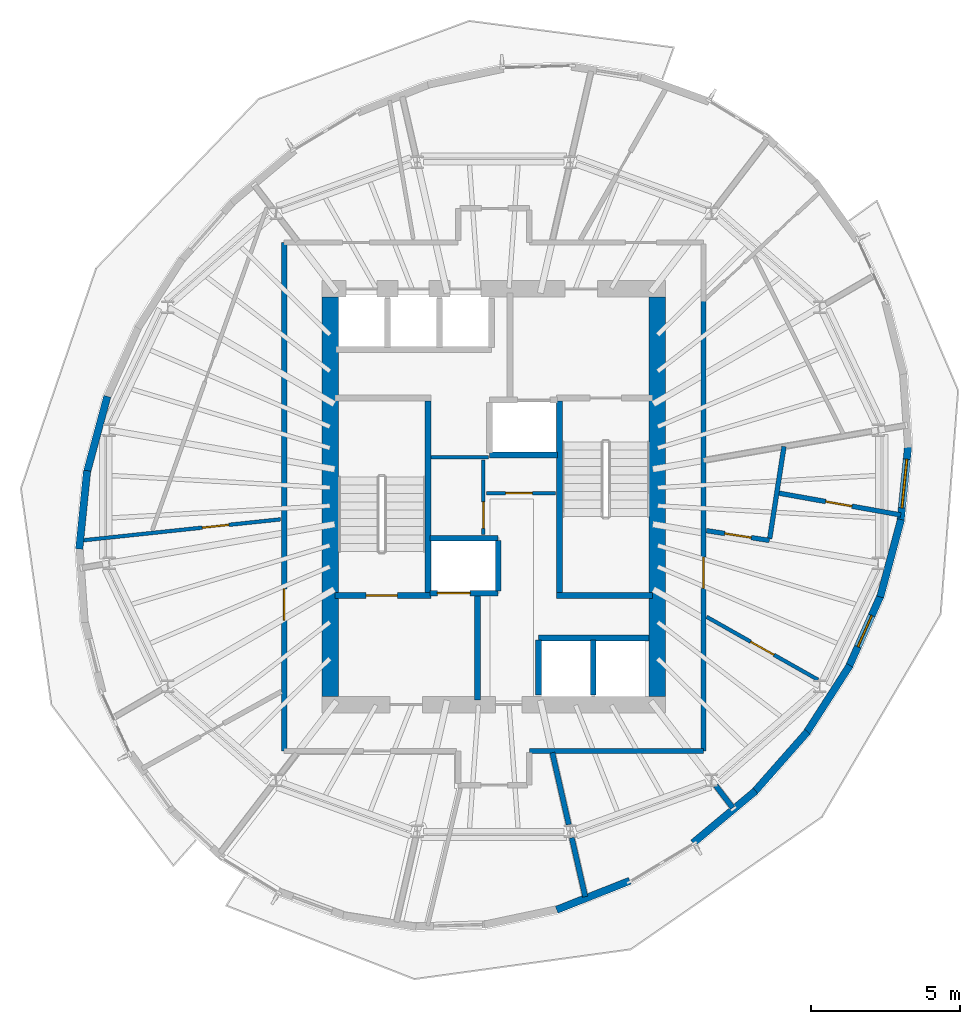
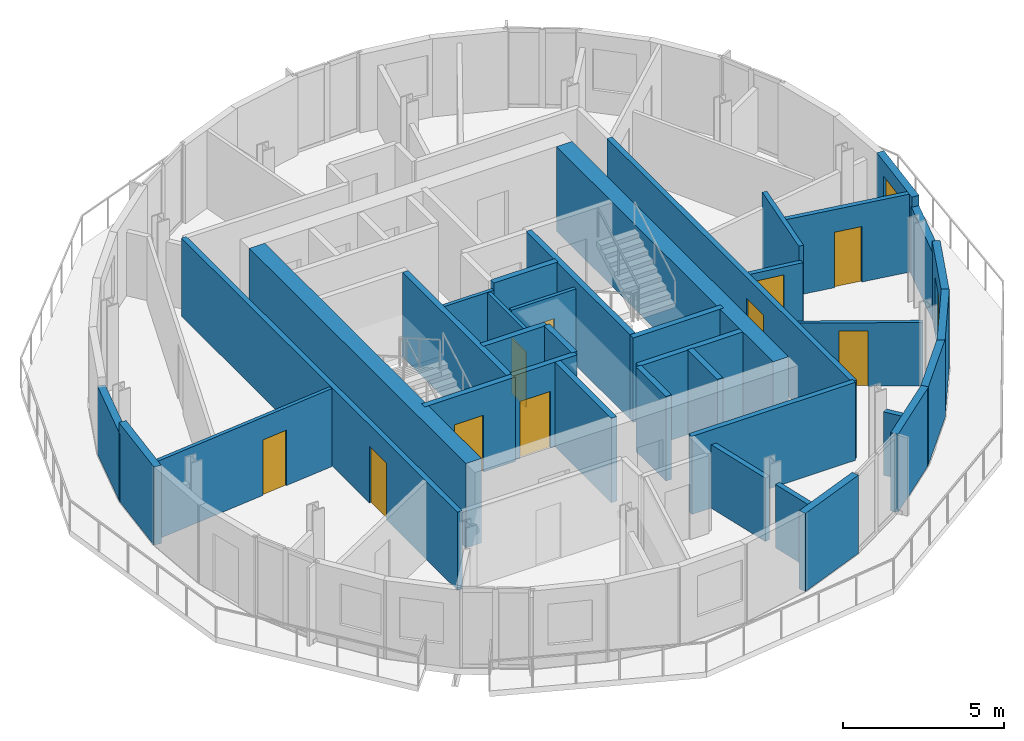
# One storey, part 5 of 11: 37 walls, 11 doors, 1 window, 12 openings.
"""IFC4 building model written with IfcOpenShell, lengths in metres."""

import ifcopenshell
import ifcopenshell.guid

model = None  # the IFC model being written
_history = None  # IfcOwnerHistory: only IFC2X3 demands one
_inside = {}  # id of a spatial element -> (the spatial element, [elements in it])
_under = {}  # id of a project, library or spatial element -> (it, [spatial elements below it])
_declared = {}  # id of a project -> (the project, [libraries it declares])
_typed = {}  # id of a type object -> (the type object, [elements of that type])
_made_of = {}  # id of a material, layer set ... -> (it, [elements and type objects made of it])


def new_model(schema):
    """Start an empty IFC model of exactly this schema.

    Asked for "IFC4X3", IfcOpenShell would pick the latest addendum, in which some entities
    have other attributes; the version numbers below select the first issue.
    IFC2X3 requires an IfcOwnerHistory on every rooted entity: one is made here for all.
    """
    global model, _history
    if schema == "IFC4X3":
        model = ifcopenshell.file(schema_version=(4, 3, 0, 0))
    else:
        model = ifcopenshell.file(schema=schema)
    _inside.clear()
    _under.clear()
    _declared.clear()
    _typed.clear()
    _made_of.clear()
    _history = None
    if model.schema == "IFC2X3":
        org = make("IfcOrganization", Name="unknown")
        user = make(
            "IfcPersonAndOrganization",
            ThePerson=make("IfcPerson", FamilyName="unknown"),
            TheOrganization=org,
        )
        app = make(
            "IfcApplication",
            ApplicationDeveloper=org,
            Version="unknown",
            ApplicationFullName="unknown",
            ApplicationIdentifier="unknown",
        )
        _history = make(
            "IfcOwnerHistory",
            OwningUser=user,
            OwningApplication=app,
            ChangeAction="ADDED",
            CreationDate=0,
        )
    return model


def make(cls, **values):
    """One entity of the class cls with the attributes given. An attribute that is None is left unset."""
    return model.create_entity(
        cls, **{name: value for name, value in values.items() if value is not None}
    )


def rooted(cls, **values):
    """An entity with a GlobalId (a new one), such as an element, a storey or a relation."""
    return make(cls, GlobalId=ifcopenshell.guid.new(), OwnerHistory=_history, **values)


def si_unit(unit_type, name, prefix=None):
    """IfcSIUnit, for example si_unit("LENGTHUNIT", "METRE", prefix="MILLI")."""
    return make("IfcSIUnit", UnitType=unit_type, Prefix=prefix, Name=name)


def assignment(units):
    """IfcUnitAssignment: the units of a project."""
    return None if units is None else make("IfcUnitAssignment", Units=units)


def point(xyz):
    """IfcCartesianPoint."""
    return None if xyz is None else make("IfcCartesianPoint", Coordinates=xyz)


def direction(xyz):
    """IfcDirection."""
    return None if xyz is None else make("IfcDirection", DirectionRatios=xyz)


def frame(location, z_axis=None, x_axis=None):
    """IfcAxis2Placement3D, a coordinate frame: its origin and axes. An axis left out is left unset."""
    return make(
        "IfcAxis2Placement3D",
        Location=point(location),
        Axis=direction(z_axis),
        RefDirection=direction(x_axis),
    )


def frame_2d(location, x_axis=None):
    """IfcAxis2Placement2D, a coordinate frame in the plane: its origin and x axis."""
    return make(
        "IfcAxis2Placement2D", Location=point(location), RefDirection=direction(x_axis)
    )


def origin():
    """The frame at (0, 0, 0) with its axes left unset."""
    return frame((0.0, 0.0, 0.0))


def place(relative_to, where):
    """IfcLocalPlacement: puts the frame where relative to a parent placement (None: the world)."""
    return make(
        "IfcLocalPlacement", PlacementRelTo=relative_to, RelativePlacement=where
    )


def context(
    kind, dimensions, precision=None, world=None, true_north=None, identifier=None
):
    """IfcGeometricRepresentationContext, for example the 3D "Model" context."""
    return make(
        "IfcGeometricRepresentationContext",
        ContextIdentifier=identifier,
        ContextType=kind,
        CoordinateSpaceDimension=dimensions,
        Precision=precision,
        WorldCoordinateSystem=world,
        TrueNorth=true_north,
    )


def subcontext(parent, identifier, kind, view, scale=None):
    """IfcGeometricRepresentationSubContext, for example "Body" below "Model"."""
    return make(
        "IfcGeometricRepresentationSubContext",
        ContextIdentifier=identifier,
        ContextType=kind,
        ParentContext=parent,
        TargetScale=scale,
        TargetView=view,
    )


def project(units=None, contexts=None):
    """IfcProject with its units and contexts."""
    return rooted(
        "IfcProject",
        Name="project",
        RepresentationContexts=contexts,
        UnitsInContext=assignment(units),
    )


def spatial(cls, under=None, at=None, **own):
    """A site, building, storey or space (cls), placed at a placement, below another one or the project."""
    s = rooted(cls, ObjectPlacement=at, **own)
    if under is not None:
        _under.setdefault(under.id(), (under, []))[1].append(s)
    return s


def profile(cls, at=None, kind="AREA", **sizes):
    """A parametric profile (cls). Its sizes go by their IFC names, for example OverallWidth=200.0."""
    return make(cls, ProfileType=kind, Position=at, **sizes)


def rectangle(**sizes):
    """IfcRectangleProfileDef."""
    return profile("IfcRectangleProfileDef", **sizes)


def extrude(swept, where, along, depth):
    """IfcExtrudedAreaSolid: the profile swept, set in the frame where, extruded along a direction by depth."""
    return make(
        "IfcExtrudedAreaSolid",
        SweptArea=swept,
        Position=where,
        ExtrudedDirection=direction(along),
        Depth=depth,
    )


def shape(context_of_items, identifier, shape_type, items):
    """IfcShapeRepresentation: the items that make up one representation, for example the "Body"."""
    return make(
        "IfcShapeRepresentation",
        ContextOfItems=context_of_items,
        RepresentationIdentifier=identifier,
        RepresentationType=shape_type,
        Items=items,
    )


def material(Name=None, Category=None):
    """IfcMaterial."""
    return make("IfcMaterial", Name=Name, Category=Category)


def layer(
    of_material, thickness, ventilated=None, Name=None, Category=None, Priority=None
):
    """IfcMaterialLayer: one layer of a wall or slab, of a material (None: an air gap)."""
    return make(
        "IfcMaterialLayer",
        Material=of_material,
        LayerThickness=thickness,
        IsVentilated=ventilated,
        Name=Name,
        Category=Category,
        Priority=Priority,
    )


def layer_set(layers, Name=None):
    """IfcMaterialLayerSet."""
    return make("IfcMaterialLayerSet", MaterialLayers=layers, LayerSetName=Name)


def made_of(thing, what):
    """Note that an element or type object is made of a material, layer set ...; save() writes the relation."""
    if what is not None:
        _made_of.setdefault(what.id(), (what, []))[1].append(thing)
    return thing


def type_object(cls, material=None, **own):
    """A type object (cls), such as IfcWallType, which elements share."""
    return made_of(rooted(cls, **own), material)


def element(
    cls,
    number,
    at=None,
    inside=None,
    cuts=None,
    type_object=None,
    material=None,
    context=None,
    identifier="Body",
    shape_type=None,
    held_by="IfcProductDefinitionShape",
    body=None,
    shapes=None,
    **own,
):
    """One element of the class cls, such as IfcWall. Its Tag is "e" and its number.

    at: its placement. inside: the storey or other place that contains it. cuts: it is an
    opening in that element (IfcRelVoidsElement). A single representation is given by context,
    identifier, shape_type and body (its items); several are given by shapes. held_by: the class
    of the entity that holds the representations. save() writes the other relations.
    """
    e = rooted(cls, Tag="e%d" % number, ObjectPlacement=at, **own)
    if body is not None:
        shapes = [shape(context, identifier, shape_type, body)]
    if shapes is not None:
        e.Representation = make(held_by, Representations=shapes)
    if inside is not None:
        _inside.setdefault(inside.id(), (inside, []))[1].append(e)
    if cuts is not None:
        rooted(
            "IfcRelVoidsElement", RelatingBuildingElement=cuts, RelatedOpeningElement=e
        )
    if type_object is not None:
        _typed.setdefault(type_object.id(), (type_object, []))[1].append(e)
    return made_of(e, material)


def fill(opening, filler):
    """IfcRelFillsElement: the door or window that sits in an opening."""
    return rooted(
        "IfcRelFillsElement",
        RelatingOpeningElement=opening,
        RelatedBuildingElement=filler,
    )


def aggregate(whole, parts):
    """IfcRelAggregates: a whole, such as a stair, and the parts it consists of."""
    return rooted("IfcRelAggregates", RelatingObject=whole, RelatedObjects=parts)


def save(model, path):
    """Write the relations noted so far, then the file.

    IfcRelAggregates (storeys below a building ...), IfcRelContainedInSpatialStructure (elements
    in a storey), IfcRelDefinesByType, IfcRelAssociatesMaterial and IfcRelDeclares: one each for
    every whole, place, type object, material and project.
    """
    for whole, parts in _under.values():
        aggregate(whole, parts)
    for where, things in _inside.values():
        rooted(
            "IfcRelContainedInSpatialStructure",
            RelatedElements=things,
            RelatingStructure=where,
        )
    for kind, things in _typed.values():
        rooted("IfcRelDefinesByType", RelatedObjects=things, RelatingType=kind)
    for what, things in _made_of.values():
        rooted("IfcRelAssociatesMaterial", RelatedObjects=things, RelatingMaterial=what)
    for by, libraries in _declared.values():
        rooted("IfcRelDeclares", RelatingContext=by, RelatedDefinitions=libraries)
    model.write(path)


model = new_model("IFC4")

# Units and contexts
model_context = context("Model", 3, precision=1e-05, world=origin(), true_north=direction((0.0, 1.0)))
body_context = subcontext(model_context, "Body", "Model", "MODEL_VIEW")
ifc_project = project(units=[si_unit("LENGTHUNIT", "METRE"), si_unit("AREAUNIT", "SQUARE_METRE"), si_unit("VOLUMEUNIT", "CUBIC_METRE"), si_unit("PLANEANGLEUNIT", "RADIAN"), si_unit("MASSUNIT", "GRAM", prefix="KILO")], contexts=[model_context])

# Site, building, storey
site_placement = place(None, origin())
site = spatial("IfcSite", under=ifc_project, at=site_placement, CompositionType="ELEMENT")
building_placement = place(site_placement, origin())
building = spatial("IfcBuilding", under=site, at=building_placement, Name="Veldorim Arch Residences", CompositionType="ELEMENT")
storey_placement = place(building_placement, frame((0.0, 0.0, 211.0400390625)))
storey = spatial("IfcBuildingStorey", under=building, at=storey_placement, Name="L63", CompositionType="ELEMENT", Elevation=211.0400390625)

# Wall, opening, door
ifc_material_1 = material(Name="Acoustic Gypsum Board", Category="gypsum")
ifc_layer_1 = layer(ifc_material_1, 0.125, Name="Acoustic Stud Room Partition Wall 125")
ifc_layer_set_1 = layer_set([ifc_layer_1], Name="Acoustic Gypsum Board")
wall_type_1 = type_object("IfcWallType", Name="Acoustic Stud Room Partition Wall 125", PredefinedType="PARTITIONING", material=ifc_layer_set_1)
wall_1_placement = place(storey_placement, frame((31.64990234375, 22.719970703125, 0.0), z_axis=(0.0, 0.0, 1.0), x_axis=(0.0, 1.0, 0.0)))
wall_1 = element("IfcWall", 1, at=wall_1_placement, inside=storey, type_object=wall_type_1, Name="L63 interior wall WL-CA-L63-1", PredefinedType="PARTITIONING", context=body_context, shape_type="SweptSolid", body=[
    extrude(rectangle(XDim=2.52001953125, YDim=0.125, at=frame_2d((1.260009765625, 0.0))), origin(), (0.0, 0.0, 1.0), 2.955078125),
])
opening_1_placement = place(wall_1_placement, frame((0.2099609375, 0.0, 0.0)))
opening_1 = element("IfcOpeningElement", 2, at=opening_1_placement, cuts=wall_1, Name="Opening DR-SVC", PredefinedType="OPENING", context=body_context, shape_type="SweptSolid", body=[
    extrude(rectangle(XDim=0.89990234375, YDim=2.10009765625, at=frame_2d((0.449951171875, 1.050048828125))), frame((0.0, 0.072509765625, 0.0), z_axis=(0.0, -1.0, 0.0), x_axis=(1.0, 0.0, 0.0)), (0.0, 0.0, 1.0), 0.14501953125),
])
ifc_material_2 = material(Name="Fire-Rated Steel", Category="steel")
door_type_1 = type_object("IfcDoorType", Name="Riser, Shelter & Plant Room Rated Steel Door 900x2100", OperationType="SINGLE_SWING_LEFT", PredefinedType="DOOR", material=ifc_material_2)
door_1_placement = place(opening_1_placement, origin())
door_1 = element("IfcDoor", 3, at=door_1_placement, inside=storey, type_object=door_type_1, Name="L63 interior door DR-L63-CA1", OperationType="SINGLE_SWING_LEFT", OverallHeight=2.10009765625, OverallWidth=0.89990234375, PredefinedType="DOOR", context=body_context, shape_type="SweptSolid", body=[
    extrude(rectangle(XDim=0.89990234375, YDim=2.10009765625, at=frame_2d((0.449951171875, 1.050048828125))), frame((0.0, 0.02490234375, 0.0), z_axis=(0.0, -1.0, 0.0), x_axis=(1.0, 0.0, 0.0)), (0.0, 0.0, 1.0), 0.050048828125),
])
fill(opening_1, door_1)

wall_2_placement = place(storey_placement, frame((31.760009765625, 24.1201171875, 0.0), z_axis=(0.0, 0.0, 1.0), x_axis=(1.0, 0.0, 0.0)))
wall_2 = element("IfcWall", 4, at=wall_2_placement, inside=storey, type_object=wall_type_1, Name="L63 interior wall WL-CA-L63-2", PredefinedType="PARTITIONING", context=body_context, shape_type="SweptSolid", body=[
    extrude(rectangle(XDim=2.320068359375, YDim=0.125, at=frame_2d((1.16015625, 0.0))), origin(), (0.0, 0.0, 1.0), 2.955078125),
])
opening_2_placement = place(wall_2_placement, frame((0.639892578125, 0.0, 0.0)))
opening_2 = element("IfcOpeningElement", 5, at=opening_2_placement, cuts=wall_2, Name="Opening DR-SVC", PredefinedType="OPENING", context=body_context, shape_type="SweptSolid", body=[
    extrude(rectangle(XDim=0.89990234375, YDim=2.10009765625, at=frame_2d((0.449951171875, 1.050048828125))), frame((0.0, 0.072509765625, 0.0), z_axis=(0.0, -1.0, 0.0), x_axis=(1.0, 0.0, 0.0)), (0.0, 0.0, 1.0), 0.14501953125),
])
door_2_placement = place(opening_2_placement, origin())
door_2 = element("IfcDoor", 6, at=door_2_placement, inside=storey, type_object=door_type_1, Name="L63 interior door DR-L63-CA2", OperationType="SINGLE_SWING_RIGHT", OverallHeight=2.10009765625, OverallWidth=0.89990234375, PredefinedType="DOOR", context=body_context, shape_type="SweptSolid", body=[
    extrude(rectangle(XDim=0.89990234375, YDim=2.10009765625, at=frame_2d((0.449951171875, 1.050048828125))), frame((0.0, 0.02490234375, 0.0), z_axis=(0.0, -1.0, 0.0), x_axis=(1.0, 0.0, 0.0)), (0.0, 0.0, 1.0), 0.050048828125),
])
fill(opening_2, door_2)

# Wall
wall_3_placement = place(storey_placement, frame((29.889892578125, 25.330078125, 0.0), z_axis=(0.0, 0.0, 1.0), x_axis=(1.0, 0.0, 0.0)))
element("IfcWall", 7, at=wall_3_placement, inside=storey, type_object=wall_type_1, Name="L63 interior wall WL-CA-L63-N", PredefinedType="PARTITIONING", context=body_context, shape_type="SweptSolid", body=[
    extrude(rectangle(XDim=1.940185546875, YDim=0.125, at=frame_2d((0.97021484375, 0.0))), origin(), (0.0, 0.0, 1.0), 2.955078125),
])

# Wall, opening, door
wall_4_placement = place(storey_placement, frame((42.916748046875, 17.83740234375, 0.0), z_axis=(0.0, 0.0, 1.0), x_axis=(-0.870825482781, 0.491592288933, 0.0)))
wall_4 = element("IfcWall", 8, at=wall_4_placement, inside=storey, type_object=wall_type_1, Name="L63 interior wall WL-RES-L63-018", PredefinedType="PARTITIONING", context=body_context, shape_type="SweptSolid", body=[
    extrude(rectangle(XDim=4.308837890625, YDim=0.125, at=frame_2d((2.154296875, 0.0))), origin(), (0.0, 0.0, 1.0), 2.4033203125),
])
opening_3_placement = place(wall_4_placement, frame((1.70458984375, 0.0, 0.0)))
opening_3 = element("IfcOpeningElement", 9, at=opening_3_placement, cuts=wall_4, Name="Opening DR-INT", PredefinedType="OPENING", context=body_context, shape_type="SweptSolid", body=[
    extrude(rectangle(XDim=0.89990234375, YDim=2.10009765625, at=frame_2d((0.449951171875, 1.050048828125))), frame((0.0, 0.072509765625, 0.0), z_axis=(0.0, -1.0, 0.0), x_axis=(1.0, 0.0, 0.0)), (0.0, 0.0, 1.0), 0.14501953125),
])
ifc_material_3 = material(Name="Engineered Timber", Category="wood")
door_type_2 = type_object("IfcDoorType", Name="Apartment Internal Room Timber Door 900x2100", OperationType="SINGLE_SWING_LEFT", PredefinedType="DOOR", material=ifc_material_3)
door_3_placement = place(opening_3_placement, origin())
door_3 = element("IfcDoor", 10, at=door_3_placement, inside=storey, type_object=door_type_2, Name="L63 interior door DR-RES-L63-005", OperationType="SINGLE_SWING_LEFT", OverallHeight=2.10009765625, OverallWidth=0.89990234375, PredefinedType="DOOR", context=body_context, shape_type="SweptSolid", body=[
    extrude(rectangle(XDim=0.89990234375, YDim=2.10009765625, at=frame_2d((0.449951171875, 1.050048828125))), frame((0.0, 0.02490234375, 0.0), z_axis=(0.0, -1.0, 0.0), x_axis=(1.0, 0.0, 0.0)), (0.0, 0.0, 1.0), 0.050048828125),
])
fill(opening_3, door_3)

wall_5_placement = place(storey_placement, frame((18.085693359375, 22.5224609375, 0.0), z_axis=(0.0, 0.0, 1.0), x_axis=(0.994410835851, 0.105579778091, 0.0)))
wall_5 = element("IfcWall", 11, at=wall_5_placement, inside=storey, type_object=wall_type_1, Name="L63 interior wall WL-RES-L63-029", PredefinedType="PARTITIONING", context=body_context, shape_type="SweptSolid", body=[
    extrude(rectangle(XDim=6.77294921875, YDim=0.125, at=frame_2d((3.386474609375, 0.0))), origin(), (0.0, 0.0, 1.0), 2.955078125),
])
opening_4_placement = place(wall_5_placement, frame((4.124267578125, 0.0, 0.0)))
opening_4 = element("IfcOpeningElement", 12, at=opening_4_placement, cuts=wall_5, Name="Opening DR-INT", PredefinedType="OPENING", context=body_context, shape_type="SweptSolid", body=[
    extrude(rectangle(XDim=0.89990234375, YDim=2.10009765625, at=frame_2d((0.449951171875, 1.050048828125))), frame((0.0, 0.072509765625, 0.0), z_axis=(0.0, -1.0, 0.0), x_axis=(1.0, 0.0, 0.0)), (0.0, 0.0, 1.0), 0.14501953125),
])
door_4_placement = place(opening_4_placement, origin())
door_4 = element("IfcDoor", 13, at=door_4_placement, inside=storey, type_object=door_type_2, Name="L63 interior door DR-RES-L63-015", OperationType="SINGLE_SWING_LEFT", OverallHeight=2.10009765625, OverallWidth=0.89990234375, PredefinedType="DOOR", context=body_context, shape_type="SweptSolid", body=[
    extrude(rectangle(XDim=0.89990234375, YDim=2.10009765625, at=frame_2d((0.449951171875, 1.050048828125))), frame((0.0, 0.02490234375, 0.0), z_axis=(0.0, -1.0, 0.0), x_axis=(1.0, 0.0, 0.0)), (0.0, 0.0, 1.0), 0.050048828125),
])
fill(opening_4, door_4)

# Walls
ifc_material_4 = material(Name="Lightweight Masonry Block & Gypsum", Category="masonry")
ifc_layer_2 = layer(ifc_material_4, 0.179931640625, Name="Compartment & Corridor Fire-Rated Party Wall 180")
ifc_layer_set_2 = layer_set([ifc_layer_2], Name="Lightweight Masonry Block & Gypsum")
wall_type_2 = type_object("IfcWallType", Name="Compartment & Corridor Fire-Rated Party Wall 180", PredefinedType="PARTITIONING", material=ifc_layer_set_2)
wall_6_placement = place(storey_placement, frame((34.62646484375, 12.516845703125, 0.0), z_axis=(0.0, 0.0, 1.0), x_axis=(0.222932254148, -0.974833939736, 0.0)))
element("IfcWall", 14, at=wall_6_placement, inside=storey, type_object=wall_type_2, Name="L63 interior wall WL-PIER-L63-13", PredefinedType="PARTITIONING", context=body_context, shape_type="SweptSolid", body=[
    extrude(rectangle(XDim=2.035888671875, YDim=0.179931640625, at=frame_2d((1.01806640625, 0.0))), origin(), (0.0, 0.0, 1.0), 2.4033203125),
])
wall_7_placement = place(storey_placement, frame((39.473388671875, 14.272705078125, 0.0), z_axis=(0.0, 0.0, 1.0), x_axis=(0.60903478373, -0.793143512995, 0.0)))
element("IfcWall", 15, at=wall_7_placement, inside=storey, type_object=wall_type_2, Name="L63 interior wall WL-PIER-L63-14", PredefinedType="PARTITIONING", context=body_context, shape_type="SweptSolid", body=[
    extrude(rectangle(XDim=0.94287109375, YDim=0.179931640625, at=frame_2d((0.471435546875, 0.0))), origin(), (0.0, 0.0, 1.0), 2.4033203125),
])
wall_8_placement = place(storey_placement, frame((39.06005859375, 15.43994140625, 0.0), z_axis=(0.0, 0.0, 1.0), x_axis=(-1.0, 0.0, 0.0)))
element("IfcWall", 16, at=wall_8_placement, inside=storey, type_object=wall_type_2, Name="L63 interior wall WL-RES-L63-001", PredefinedType="PARTITIONING", context=body_context, shape_type="SweptSolid", body=[
    extrude(rectangle(XDim=5.860107421875, YDim=0.179931640625, at=frame_2d((2.93017578125, 0.0))), origin(), (0.0, 0.0, 1.0), 2.955078125),
])

# Wall, opening, door
wall_9_placement = place(storey_placement, frame((39.06005859375, 30.622802734375, 0.0), z_axis=(0.0, 0.0, 1.0), x_axis=(0.0, -1.0, 0.0)))
wall_9 = element("IfcWall", 17, at=wall_9_placement, inside=storey, type_object=wall_type_2, Name="L63 interior wall WL-RES-L63-006", PredefinedType="PARTITIONING", context=body_context, shape_type="SweptSolid", body=[
    extrude(rectangle(XDim=15.182861328125, YDim=0.179931640625, at=frame_2d((7.59130859375, 0.0))), origin(), (0.0, 0.0, 1.0), 2.955078125),
])
opening_5_placement = place(wall_9_placement, frame((8.656005859375, 0.0, 0.0)))
opening_5 = element("IfcOpeningElement", 18, at=opening_5_placement, cuts=wall_9, Name="Opening DR-FLT", PredefinedType="OPENING", context=body_context, shape_type="SweptSolid", body=[
    extrude(rectangle(XDim=1.050048828125, YDim=2.14990234375, at=frame_2d((0.52490234375, 1.074951171875))), frame((0.0, 0.099853515625, 0.0), z_axis=(0.0, -1.0, 0.0), x_axis=(1.0, 0.0, 0.0)), (0.0, 0.0, 1.0), 0.199951171875),
])
ifc_material_5 = material(Name="Fire-Rated Timber", Category="wood")
door_type_3 = type_object("IfcDoorType", Name="Apartment Entrance Solid-Core Fire Door 1050x2150", OperationType="SINGLE_SWING_LEFT", PredefinedType="DOOR", material=ifc_material_5)
door_5_placement = place(opening_5_placement, origin())
door_5 = element("IfcDoor", 19, at=door_5_placement, inside=storey, type_object=door_type_3, Name="L63 interior door DR-RES-L63-003", OperationType="SINGLE_SWING_LEFT", OverallHeight=2.14990234375, OverallWidth=1.050048828125, PredefinedType="DOOR", context=body_context, shape_type="SweptSolid", body=[
    extrude(rectangle(XDim=1.050048828125, YDim=2.14990234375, at=frame_2d((0.52490234375, 1.074951171875))), frame((0.0, 0.02490234375, 0.0), z_axis=(0.0, -1.0, 0.0), x_axis=(1.0, 0.0, 0.0)), (0.0, 0.0, 1.0), 0.050048828125),
])
fill(opening_5, door_5)

wall_10_placement = place(storey_placement, frame((24.93994140625, 15.43994140625, 0.0), z_axis=(0.0, 0.0, 1.0), x_axis=(0.0, 1.0, 0.0)))
wall_10 = element("IfcWall", 20, at=wall_10_placement, inside=storey, type_object=wall_type_2, Name="L63 interior wall WL-RES-L63-013", PredefinedType="PARTITIONING", context=body_context, shape_type="SweptSolid", body=[
    extrude(rectangle(XDim=17.1201171875, YDim=0.179931640625, at=frame_2d((8.56005859375, 0.0))), origin(), (0.0, 0.0, 1.0), 2.955078125),
])
opening_6_placement = place(wall_10_placement, frame((4.404296875, 0.0, 0.0)))
opening_6 = element("IfcOpeningElement", 21, at=opening_6_placement, cuts=wall_10, Name="Opening DR-FLT", PredefinedType="OPENING", context=body_context, shape_type="SweptSolid", body=[
    extrude(rectangle(XDim=1.050048828125, YDim=2.14990234375, at=frame_2d((0.52490234375, 1.074951171875))), frame((0.0, 0.099853515625, 0.0), z_axis=(0.0, -1.0, 0.0), x_axis=(1.0, 0.0, 0.0)), (0.0, 0.0, 1.0), 0.199951171875),
])
door_6_placement = place(opening_6_placement, origin())
door_6 = element("IfcDoor", 22, at=door_6_placement, inside=storey, type_object=door_type_3, Name="L63 interior door DR-RES-L63-013", OperationType="SINGLE_SWING_LEFT", OverallHeight=2.14990234375, OverallWidth=1.050048828125, PredefinedType="DOOR", context=body_context, shape_type="SweptSolid", body=[
    extrude(rectangle(XDim=1.050048828125, YDim=2.14990234375, at=frame_2d((0.52490234375, 1.074951171875))), frame((0.0, 0.02490234375, 0.0), z_axis=(0.0, -1.0, 0.0), x_axis=(1.0, 0.0, 0.0)), (0.0, 0.0, 1.0), 0.050048828125),
])
fill(opening_6, door_6)

# Walls
wall_11_placement = place(storey_placement, frame((33.97119140625, 15.381591796875, 0.0), z_axis=(0.0, 0.0, 1.0), x_axis=(0.222950196428, -0.974829836388, 0.0)))
element("IfcWall", 23, at=wall_11_placement, inside=storey, type_object=wall_type_2, Name="L63 interior wall WL-RES-L63-015", PredefinedType="PARTITIONING", context=body_context, shape_type="SweptSolid", body=[
    extrude(rectangle(XDim=2.484619140625, YDim=0.179931640625, at=frame_2d((1.2421875, 0.0))), origin(), (0.0, 0.0, 1.0), 2.4033203125),
])
ifc_material_6 = material(Name="Concrete C50/60", Category="concrete")
ifc_layer_3 = layer(ifc_material_6, 0.199951171875, Name="Core Stair & Lift Shaft Enclosure Wall 200")
ifc_layer_set_3 = layer_set([ifc_layer_3], Name="Concrete C50/60")
wall_type_3 = type_object("IfcWallType", Name="Core Stair & Lift Shaft Enclosure Wall 200", PredefinedType="SHEAR", material=ifc_layer_set_3)
wall_12_placement = place(storey_placement, frame((29.7900390625, 20.780029296875, 0.0), z_axis=(0.0, 0.0, 1.0), x_axis=(0.0, 1.0, 0.0)))
element("IfcWall", 24, at=wall_12_placement, inside=storey, type_object=wall_type_3, Name="L63 shaft wall WL-SHF-L63-ST1-E", PredefinedType="SHEAR", context=body_context, shape_type="SweptSolid", body=[
    extrude(rectangle(XDim=6.43994140625, YDim=0.199951171875, at=frame_2d((3.219970703125, 0.0))), origin(), (0.0, 0.0, 1.0), 3.199951171875),
])

# Wall, opening, door
wall_13_placement = place(storey_placement, frame((26.64990234375, 20.669921875, 0.0), z_axis=(0.0, 0.0, 1.0), x_axis=(1.0, 0.0, 0.0)))
wall_13 = element("IfcWall", 25, at=wall_13_placement, inside=storey, type_object=wall_type_3, Name="L63 shaft wall WL-SHF-L63-ST1-S", PredefinedType="SHEAR", context=body_context, shape_type="SweptSolid", body=[
    extrude(rectangle(XDim=3.239990234375, YDim=0.199951171875, at=frame_2d((1.6201171875, 0.0))), origin(), (0.0, 0.0, 1.0), 3.199951171875),
])
opening_7_placement = place(wall_13_placement, frame((1.054931640625, 0.0, 0.0)))
opening_7 = element("IfcOpeningElement", 26, at=opening_7_placement, cuts=wall_13, Name="Opening DR-ST", PredefinedType="OPENING", context=body_context, shape_type="SweptSolid", body=[
    extrude(rectangle(XDim=1.050048828125, YDim=2.14990234375, at=frame_2d((0.52490234375, 1.074951171875))), frame((0.0, 0.10986328125, 0.0), z_axis=(0.0, -1.0, 0.0), x_axis=(1.0, 0.0, 0.0)), (0.0, 0.0, 1.0), 0.219970703125),
])
ifc_material_7 = material(Name="Fire-Rated Steel", Category="steel")
door_type_4 = type_object("IfcDoorType", Name="Exit Staircase Self-Closing Fire Door 1050x2150", OperationType="SINGLE_SWING_LEFT", PredefinedType="DOOR", material=ifc_material_7)
door_7_placement = place(opening_7_placement, origin())
door_7 = element("IfcDoor", 27, at=door_7_placement, inside=storey, type_object=door_type_4, Name="L63 interior door DR-L63-ST1", OperationType="SINGLE_SWING_LEFT", OverallHeight=2.14990234375, OverallWidth=1.050048828125, PredefinedType="DOOR", context=body_context, shape_type="SweptSolid", body=[
    extrude(rectangle(XDim=1.050048828125, YDim=2.14990234375, at=frame_2d((0.52490234375, 1.074951171875))), frame((0.0, 0.02490234375, 0.0), z_axis=(0.0, -1.0, 0.0), x_axis=(1.0, 0.0, 0.0)), (0.0, 0.0, 1.0), 0.050048828125),
])
fill(opening_7, door_7)

# Walls
wall_14_placement = place(storey_placement, frame((34.2099609375, 20.780029296875, 0.0), z_axis=(0.0, 0.0, 1.0), x_axis=(0.0, 1.0, 0.0)))
element("IfcWall", 28, at=wall_14_placement, inside=storey, type_object=wall_type_3, Name="L63 shaft wall WL-SHF-L63-ST2-W", PredefinedType="SHEAR", context=body_context, shape_type="SweptSolid", body=[
    extrude(rectangle(XDim=6.43994140625, YDim=0.199951171875, at=frame_2d((3.219970703125, 0.0))), origin(), (0.0, 0.0, 1.0), 3.199951171875),
])
wall_15_placement = place(storey_placement, frame((34.110107421875, 20.669921875, 0.0), z_axis=(0.0, 0.0, 1.0), x_axis=(1.0, 0.0, 0.0)))
element("IfcWall", 29, at=wall_15_placement, inside=storey, type_object=wall_type_3, Name="L63 shaft wall WL-SHF-L63-ST2-S", PredefinedType="SHEAR", context=body_context, shape_type="SweptSolid", body=[
    extrude(rectangle(XDim=3.239990234375, YDim=0.199951171875, at=frame_2d((1.6201171875, 0.0))), origin(), (0.0, 0.0, 1.0), 3.199951171875),
])
wall_16_placement = place(storey_placement, frame((31.449951171875, 17.14990234375, 0.0), z_axis=(0.0, 0.0, 1.0), x_axis=(0.0, 1.0, 0.0)))
element("IfcWall", 30, at=wall_16_placement, inside=storey, type_object=wall_type_3, Name="L63 shaft wall WL-FFL1-L63-E", PredefinedType="SHEAR", context=body_context, shape_type="SweptSolid", body=[
    extrude(rectangle(XDim=3.5, YDim=0.199951171875, at=frame_2d((1.75, 0.0))), origin(), (0.0, 0.0, 1.0), 3.199951171875),
])

# Wall, opening, door
wall_17_placement = place(storey_placement, frame((29.85009765625, 20.75, 0.0), z_axis=(0.0, 0.0, 1.0), x_axis=(1.0, 0.0, 0.0)))
wall_17 = element("IfcWall", 31, at=wall_17_placement, inside=storey, type_object=wall_type_3, Name="L63 shaft wall WL-FL01-L63-S", PredefinedType="SHEAR", context=body_context, shape_type="SweptSolid", body=[
    extrude(rectangle(XDim=2.2998046875, YDim=0.199951171875, at=frame_2d((1.14990234375, 0.0))), origin(), (0.0, 0.0, 1.0), 3.199951171875),
])
opening_8_placement = place(wall_17_placement, frame((0.25, 0.0, 0.0)))
opening_8 = element("IfcOpeningElement", 32, at=opening_8_placement, cuts=wall_17, Name="Opening LD-FF", PredefinedType="OPENING", context=body_context, shape_type="SweptSolid", body=[
    extrude(rectangle(XDim=1.10009765625, YDim=2.14990234375, at=frame_2d((0.550048828125, 1.074951171875))), frame((0.0, 0.10986328125, 0.0), z_axis=(0.0, -1.0, 0.0), x_axis=(1.0, 0.0, 0.0)), (0.0, 0.0, 1.0), 0.219970703125),
])
ifc_material_8 = material(Name="Stainless Steel", Category="steel")
door_type_5 = type_object("IfcDoorType", Name="Firefighting Lift Bi-Parting Sliding Landing Door 1100x2150", OperationType="DOUBLE_DOOR_SLIDING", PredefinedType="DOOR", material=ifc_material_8)
door_8_placement = place(opening_8_placement, origin())
door_8 = element("IfcDoor", 33, at=door_8_placement, inside=storey, type_object=door_type_5, Name="L63 lift landing door LD-L63-FL01", OperationType="DOUBLE_DOOR_SLIDING", OverallHeight=2.14990234375, OverallWidth=1.10009765625, PredefinedType="DOOR", context=body_context, shape_type="SweptSolid", body=[
    extrude(rectangle(XDim=1.10009765625, YDim=2.14990234375, at=frame_2d((0.550048828125, 1.074951171875))), frame((0.0, 0.02490234375, 0.0), z_axis=(0.0, -1.0, 0.0), x_axis=(1.0, 0.0, 0.0)), (0.0, 0.0, 1.0), 0.050048828125),
])
fill(opening_8, door_8)

# Walls
wall_18_placement = place(storey_placement, frame((29.85009765625, 22.60009765625, 0.0), z_axis=(0.0, 0.0, 1.0), x_axis=(1.0, 0.0, 0.0)))
element("IfcWall", 34, at=wall_18_placement, inside=storey, type_object=wall_type_3, Name="L63 shaft wall WL-FL01-L63-N", PredefinedType="SHEAR", context=body_context, shape_type="SweptSolid", body=[
    extrude(rectangle(XDim=2.2998046875, YDim=0.199951171875, at=frame_2d((1.14990234375, 0.0))), origin(), (0.0, 0.0, 1.0), 3.199951171875),
])
wall_19_placement = place(storey_placement, frame((32.14990234375, 20.820068359375, 0.0), z_axis=(0.0, 0.0, 1.0), x_axis=(0.0, 1.0, 0.0)))
element("IfcWall", 35, at=wall_19_placement, inside=storey, type_object=wall_type_3, Name="L63 shaft wall WL-FL01-L63-E", PredefinedType="SHEAR", context=body_context, shape_type="SweptSolid", body=[
    extrude(rectangle(XDim=1.7099609375, YDim=0.199951171875, at=frame_2d((0.85498046875, 0.0))), origin(), (0.0, 0.0, 1.0), 3.199951171875),
])
wall_20_placement = place(storey_placement, frame((31.85009765625, 25.39990234375, 0.0), z_axis=(0.0, 0.0, 1.0), x_axis=(1.0, 0.0, 0.0)))
element("IfcWall", 36, at=wall_20_placement, inside=storey, type_object=wall_type_3, Name="L63 shaft wall WL-FL02-L63-S", PredefinedType="SHEAR", context=body_context, shape_type="SweptSolid", body=[
    extrude(rectangle(XDim=2.2998046875, YDim=0.199951171875, at=frame_2d((1.14990234375, 0.0))), origin(), (0.0, 0.0, 1.0), 3.199951171875),
])
wall_21_placement = place(storey_placement, frame((33.5, 19.25, 0.0), z_axis=(0.0, 0.0, 1.0), x_axis=(1.0, 0.0, 0.0)))
element("IfcWall", 37, at=wall_21_placement, inside=storey, type_object=wall_type_3, Name="L63 shaft wall WL-OL-L63-N", PredefinedType="SHEAR", context=body_context, shape_type="SweptSolid", body=[
    extrude(rectangle(XDim=3.719970703125, YDim=0.199951171875, at=frame_2d((1.85986328125, 0.0))), origin(), (0.0, 0.0, 1.0), 3.199951171875),
])
for number, where, z_axis, x_axis, name in (
    (38, (33.5, 17.320068359375, 0.0), (0.0, 0.0, 1.0), (0.0, 1.0, 0.0), "L63 shaft wall WL-OL-L63-W"),
    (39, (35.35009765625, 17.320068359375, 0.0), (0.0, 0.0, 1.0), (0.0, 1.0, 0.0), "L63 shaft wall WL-OL-L63-D1"),
):
    element("IfcWall", number, at=place(storey_placement, frame(where, z_axis=z_axis, x_axis=x_axis)), inside=storey, type_object=wall_type_3, Name=name, PredefinedType="SHEAR", context=body_context, shape_type="SweptSolid", body=[
        extrude(rectangle(XDim=1.85986328125, YDim=0.199951171875, at=frame_2d((0.929931640625, 0.0))), origin(), (0.0, 0.0, 1.0), 3.199951171875),
    ])
ifc_material_9 = material(Name="Precast concrete C40/50", Category="concrete")
ifc_layer_4 = layer(ifc_material_9, 0.25, Name="Tower Terracotta Spandrel & Pier Wall 250")
ifc_layer_set_4 = layer_set([ifc_layer_4], Name="Precast concrete C40/50")
wall_type_4 = type_object("IfcWallType", Name="Tower Terracotta Spandrel & Pier Wall 250", PredefinedType="SOLIDWALL", material=ifc_layer_set_4)
wall_22_placement = place(storey_placement, frame((18.28759765625, 24.768310546875, 0.0), z_axis=(0.0, 0.0, 1.0), x_axis=(0.259023691836, 0.965870968126, 0.0)))
element("IfcWall", 40, at=wall_22_placement, inside=storey, type_object=wall_type_4, Name="L63 terracotta facade wall 12", PredefinedType="SOLIDWALL", context=body_context, shape_type="SweptSolid", body=[
    extrude(rectangle(XDim=2.701416015625, YDim=0.25, at=frame_2d((1.3505859375, 0.0))), origin(), (0.0, 0.0, 1.0), 2.576904296875),
])
for number, where, z_axis, x_axis, name in (
    (41, (18.0419921875, 22.238525390625, 0.0), (0.0, 0.0, 1.0), (0.100196668354, 0.99496765156, 0.0), "L63 terracotta facade wall 13"),
    (42, (36.580322265625, 11.066650390625, 0.0), (0.0, 0.0, 1.0), (-0.929861098324, -0.36791077427, 0.0), "L63 terracotta facade wall 24"),
):
    element("IfcWall", number, at=place(storey_placement, frame(where, z_axis=z_axis, x_axis=x_axis)), inside=storey, type_object=wall_type_4, Name=name, PredefinedType="SOLIDWALL", context=body_context, shape_type="SweptSolid", body=[
        extrude(rectangle(XDim=2.651123046875, YDim=0.25, at=frame_2d((1.32568359375, 0.0))), origin(), (0.0, 0.0, 1.0), 2.9599609375),
    ])
wall_23_placement = place(storey_placement, frame((40.815673828125, 14.093505859375, 0.0), z_axis=(0.0, 0.0, 1.0), x_axis=(-0.76821397209, -0.640193168571, 0.0)))
element("IfcWall", 43, at=wall_23_placement, inside=storey, type_object=wall_type_4, Name="L63 terracotta facade wall 26", PredefinedType="SOLIDWALL", context=body_context, shape_type="SweptSolid", body=[
    extrude(rectangle(XDim=2.738525390625, YDim=0.25, at=frame_2d((1.369140625, 0.0))), origin(), (0.0, 0.0, 1.0), 2.9599609375),
])
for number, where, z_axis, x_axis, name in (
    (44, (42.562744140625, 16.08544921875, 0.0), (0.0, 0.0, 1.0), (-0.661694827408, -0.749773269317, 0.0), "L63 terracotta facade wall 27"),
    (45, (43.98828125, 18.31884765625, 0.0), (0.0, 0.0, 1.0), (-0.540690479286, -0.841221615039, 0.0), "L63 terracotta facade wall 28"),
):
    element("IfcWall", number, at=place(storey_placement, frame(where, z_axis=z_axis, x_axis=x_axis)), inside=storey, type_object=wall_type_4, Name=name, PredefinedType="SOLIDWALL", context=body_context, shape_type="SweptSolid", body=[
        extrude(rectangle(XDim=2.758056640625, YDim=0.25, at=frame_2d((1.37890625, 0.0))), origin(), (0.0, 0.0, 1.0), 2.9599609375),
    ])

# Wall, opening, door
wall_24_placement = place(storey_placement, frame((45.049072265625, 20.7255859375, 0.0), z_axis=(0.0, 0.0, 1.0), x_axis=(-0.40624599189, -0.913763751783, 0.0)))
wall_24 = element("IfcWall", 46, at=wall_24_placement, inside=storey, type_object=wall_type_4, Name="L63 terracotta facade wall 29", PredefinedType="SOLIDWALL", context=body_context, shape_type="SweptSolid", body=[
    extrude(rectangle(XDim=2.738525390625, YDim=0.25, at=frame_2d((1.369140625, 0.0))), origin(), (0.0, 0.0, 1.0), 2.9599609375),
])
opening_9_placement = place(wall_24_placement, frame((0.7939453125, 0.0, 0.0)))
opening_9 = element("IfcOpeningElement", 47, at=opening_9_placement, cuts=wall_24, Name="Opening BL-DR", PredefinedType="OPENING", context=body_context, shape_type="SweptSolid", body=[
    extrude(rectangle(XDim=1.14990234375, YDim=2.199951171875, at=frame_2d((0.574951171875, 1.10009765625))), frame((0.0, 0.135009765625, 0.0), z_axis=(0.0, -1.0, 0.0), x_axis=(1.0, 0.0, 0.0)), (0.0, 0.0, 1.0), 0.27001953125),
])
ifc_material_10 = material(Name="Aluminium & Low-E Glass", Category="aluminium")
door_type_6 = type_object("IfcDoorType", Name="Glazed Planted Balcony Door 1150x2200", OperationType="SINGLE_SWING_LEFT", PredefinedType="DOOR", material=ifc_material_10)
door_9_placement = place(opening_9_placement, origin())
door_9 = element("IfcDoor", 48, at=door_9_placement, inside=storey, type_object=door_type_6, Name="L63 glazed outdoor terrace door BALC-2", OperationType="SINGLE_SWING_LEFT", OverallHeight=2.199951171875, OverallWidth=1.14990234375, PredefinedType="DOOR", context=body_context, shape_type="SweptSolid", body=[
    extrude(rectangle(XDim=1.14990234375, YDim=2.199951171875, at=frame_2d((0.574951171875, 1.10009765625))), frame((0.0, 0.02490234375, 0.0), z_axis=(0.0, -1.0, 0.0), x_axis=(1.0, 0.0, 0.0)), (0.0, 0.0, 1.0), 0.050048828125),
])
fill(opening_9, door_9)

# Wall
wall_25_placement = place(storey_placement, frame((45.71240234375, 23.231689453125, 0.0), z_axis=(0.0, 0.0, 1.0), x_axis=(-0.259023691836, -0.965870968126, 0.0)))
element("IfcWall", 49, at=wall_25_placement, inside=storey, type_object=wall_type_4, Name="L63 terracotta facade wall 30", PredefinedType="SOLIDWALL", context=body_context, shape_type="SweptSolid", body=[
    extrude(rectangle(XDim=2.701416015625, YDim=0.25, at=frame_2d((1.3505859375, 0.0))), origin(), (0.0, 0.0, 1.0), 2.576904296875),
])

# Wall, opening, window
wall_26_placement = place(storey_placement, frame((45.9580078125, 25.761474609375, 0.0), z_axis=(0.0, 0.0, 1.0), x_axis=(-0.100196668354, -0.99496765156, 0.0)))
wall_26 = element("IfcWall", 50, at=wall_26_placement, inside=storey, type_object=wall_type_4, Name="L63 terracotta facade wall 31", PredefinedType="SOLIDWALL", context=body_context, shape_type="SweptSolid", body=[
    extrude(rectangle(XDim=2.651123046875, YDim=0.25, at=frame_2d((1.32568359375, 0.0))), origin(), (0.0, 0.0, 1.0), 2.9599609375),
])
opening_10_placement = place(wall_26_placement, frame((0.5009765625, 0.0, 0.85009765625)))
opening_10 = element("IfcOpeningElement", 51, at=opening_10_placement, cuts=wall_26, Name="Opening WN-03", PredefinedType="OPENING", context=body_context, shape_type="SweptSolid", body=[
    extrude(rectangle(XDim=1.64990234375, YDim=1.550048828125, at=frame_2d((0.824951171875, 0.77490234375))), frame((0.0, 0.135009765625, 0.0), z_axis=(0.0, -1.0, 0.0), x_axis=(1.0, 0.0, 0.0)), (0.0, 0.0, 1.0), 0.27001953125),
])
ifc_material_11 = material(Name="Laminated Low-E Glass", Category="glass")
window_type = type_object("IfcWindowType", Name="Residential Wide Window 1650x1550", PartitioningType="SINGLE_PANEL", PredefinedType="WINDOW", material=ifc_material_11)
window_placement = place(opening_10_placement, origin())
window = element("IfcWindow", 52, at=window_placement, inside=storey, type_object=window_type, Name="L63 solar-control facade window 31", OverallHeight=1.550048828125, OverallWidth=1.64990234375, PartitioningType="SINGLE_PANEL", PredefinedType="WINDOW", context=body_context, shape_type="SweptSolid", body=[
    extrude(rectangle(XDim=1.64990234375, YDim=1.550048828125, at=frame_2d((0.824951171875, 0.77490234375))), frame((0.0, 0.030029296875, 0.0), z_axis=(0.0, -1.0, 0.0), x_axis=(1.0, 0.0, 0.0)), (0.0, 0.0, 1.0), 0.06005859375),
])
fill(opening_10, window)

# Walls
ifc_material_12 = material(Name="Concrete C50/60", Category="concrete")
ifc_layer_5 = layer(ifc_material_12, 0.5, Name="Upper Central Core Shear Wall 560")
ifc_layer_set_5 = layer_set([ifc_layer_5], Name="Concrete C50/60")
wall_type_5 = type_object("IfcWallType", Name="Upper Central Core Shear Wall 560", PredefinedType="SHEAR", material=ifc_layer_set_5)
for number, where, z_axis, x_axis, name in (
    (53, (26.5, 17.280029296875, 0.0), (0.0, 0.0, 1.0), (0.0, 1.0, 0.0), "L63 central core west shear wall"),
    (54, (37.5, 17.280029296875, 0.0), (0.0, 0.0, 1.0), (0.0, 1.0, 0.0), "L63 central core east shear wall"),
):
    element("IfcWall", number, at=place(storey_placement, frame(where, z_axis=z_axis, x_axis=x_axis)), inside=storey, type_object=wall_type_5, Name=name, PredefinedType="SHEAR", context=body_context, shape_type="SweptSolid", body=[
        extrude(rectangle(XDim=13.43994140625, YDim=0.56005859375, at=frame_2d((6.719970703125, 0.0))), origin(), (0.0, 0.0, 1.0), 3.199951171875),
    ])

# Wall, opening, door
ifc_material_13 = material(Name="Moisture-Resistant Gypsum & Stud", Category="gypsum")
ifc_layer_6 = layer(ifc_material_13, 0.159912109375, Name="Wet-Area Moisture-Resistant Plumbing Wall 160")
ifc_layer_set_6 = layer_set([ifc_layer_6], Name="Moisture-Resistant Gypsum & Stud")
wall_type_6 = type_object("IfcWallType", Name="Wet-Area Moisture-Resistant Plumbing Wall 160", PredefinedType="PLUMBINGWALL", material=ifc_layer_set_6)
wall_27_placement = place(storey_placement, frame((41.530029296875, 24.132080078125, 0.0), z_axis=(0.0, 0.0, 1.0), x_axis=(0.98434454673, -0.176254966805, 0.0)))
wall_27 = element("IfcWall", 55, at=wall_27_placement, inside=storey, type_object=wall_type_6, Name="L63 interior wall WL-RES-L63-017", PredefinedType="PLUMBINGWALL", context=body_context, shape_type="SweptSolid", body=[
    extrude(rectangle(XDim=4.239990234375, YDim=0.159912109375, at=frame_2d((2.1201171875, 0.0))), origin(), (0.0, 0.0, 1.0), 2.955078125),
])
opening_11_placement = place(wall_27_placement, frame((1.669921875, 0.0, 0.0)))
opening_11 = element("IfcOpeningElement", 56, at=opening_11_placement, cuts=wall_27, Name="Opening DR-WC", PredefinedType="OPENING", context=body_context, shape_type="SweptSolid", body=[
    extrude(rectangle(XDim=0.89990234375, YDim=2.10009765625, at=frame_2d((0.449951171875, 1.050048828125))), frame((0.0, 0.08984375, 0.0), z_axis=(0.0, -1.0, 0.0), x_axis=(1.0, 0.0, 0.0)), (0.0, 0.0, 1.0), 0.179931640625),
])
ifc_material_14 = material(Name="Laminate Timber", Category="wood")
door_type_7 = type_object("IfcDoorType", Name="Bathroom & Accessible WC Moisture-Sealed Door 900x2100", OperationType="SINGLE_SWING_LEFT", PredefinedType="DOOR", material=ifc_material_14)
door_10_placement = place(opening_11_placement, origin())
door_10 = element("IfcDoor", 57, at=door_10_placement, inside=storey, type_object=door_type_7, Name="L63 interior door DR-RES-L63-004", OperationType="SINGLE_SWING_RIGHT", OverallHeight=2.10009765625, OverallWidth=0.89990234375, PredefinedType="DOOR", context=body_context, shape_type="SweptSolid", body=[
    extrude(rectangle(XDim=0.89990234375, YDim=2.10009765625, at=frame_2d((0.449951171875, 1.050048828125))), frame((0.0, 0.02490234375, 0.0), z_axis=(0.0, -1.0, 0.0), x_axis=(1.0, 0.0, 0.0)), (0.0, 0.0, 1.0), 0.050048828125),
])
fill(opening_11, door_10)

wall_28_placement = place(storey_placement, frame((39.15869140625, 22.85693359375, 0.0), z_axis=(0.0, 0.0, 1.0), x_axis=(0.98817241845, -0.15334689894, 0.0)))
wall_28 = element("IfcWall", 58, at=wall_28_placement, inside=storey, type_object=wall_type_6, Name="L63 interior wall WL-RES-L63-019", PredefinedType="PLUMBINGWALL", context=body_context, shape_type="SweptSolid", body=[
    extrude(rectangle(XDim=2.147705078125, YDim=0.159912109375, at=frame_2d((1.07373046875, 0.0))), origin(), (0.0, 0.0, 1.0), 2.4033203125),
])
opening_12_placement = place(wall_28_placement, frame((0.623779296875, 0.0, 0.0)))
opening_12 = element("IfcOpeningElement", 59, at=opening_12_placement, cuts=wall_28, Name="Opening DR-INT", PredefinedType="OPENING", context=body_context, shape_type="SweptSolid", body=[
    extrude(rectangle(XDim=0.89990234375, YDim=2.10009765625, at=frame_2d((0.449951171875, 1.050048828125))), frame((0.0, 0.08984375, 0.0), z_axis=(0.0, -1.0, 0.0), x_axis=(1.0, 0.0, 0.0)), (0.0, 0.0, 1.0), 0.179931640625),
])
door_11_placement = place(opening_12_placement, origin())
door_11 = element("IfcDoor", 60, at=door_11_placement, inside=storey, type_object=door_type_2, Name="L63 interior door DR-RES-L63-006", OperationType="SINGLE_SWING_RIGHT", OverallHeight=2.10009765625, OverallWidth=0.89990234375, PredefinedType="DOOR", context=body_context, shape_type="SweptSolid", body=[
    extrude(rectangle(XDim=0.89990234375, YDim=2.10009765625, at=frame_2d((0.449951171875, 1.050048828125))), frame((0.0, 0.02490234375, 0.0), z_axis=(0.0, -1.0, 0.0), x_axis=(1.0, 0.0, 0.0)), (0.0, 0.0, 1.0), 0.050048828125),
])
fill(opening_12, door_11)

# Wall
wall_29_placement = place(storey_placement, frame((41.290283203125, 22.5869140625, 0.0), z_axis=(0.0, 0.0, 1.0), x_axis=(0.153371357182, 0.988168622653, 0.0)))
element("IfcWall", 61, at=wall_29_placement, inside=storey, type_object=wall_type_6, Name="L63 interior wall WL-RES-L63-020", PredefinedType="PLUMBINGWALL", context=body_context, shape_type="SweptSolid", body=[
    extrude(rectangle(XDim=3.140625, YDim=0.159912109375, at=frame_2d((1.5703125, 0.0))), origin(), (0.0, 0.0, 1.0), 2.955078125),
])

save(model, "model.ifc")
